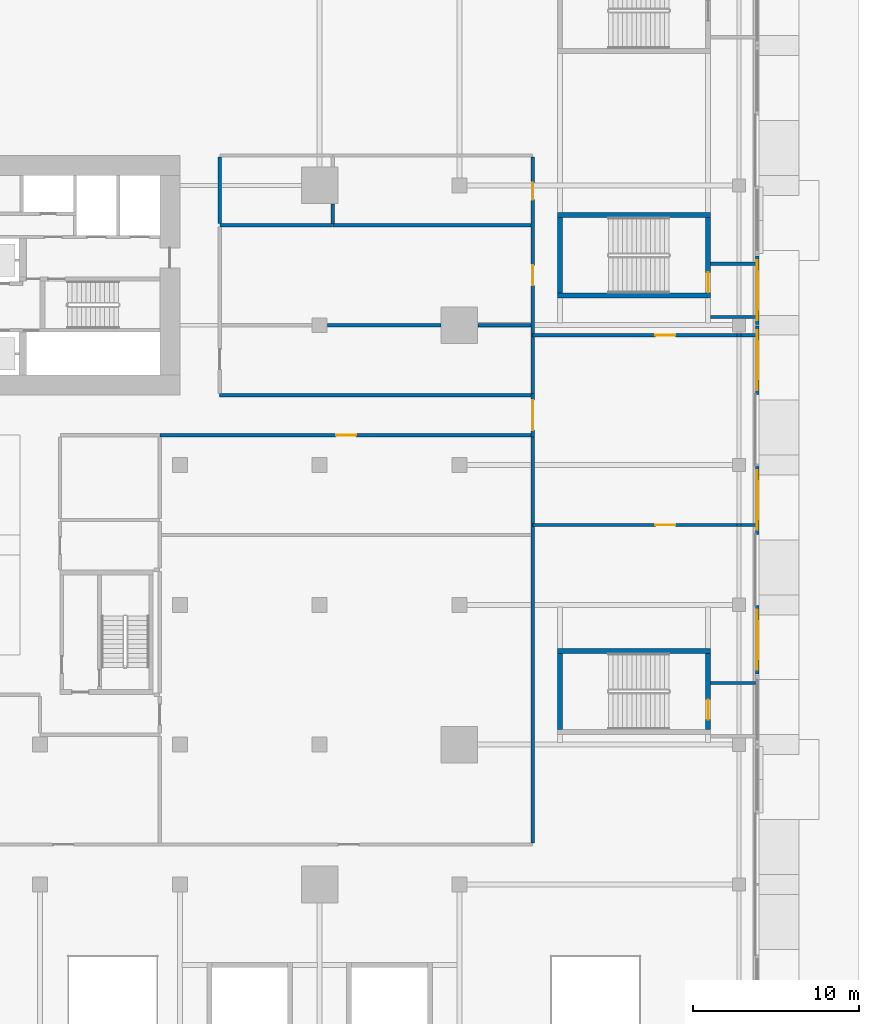
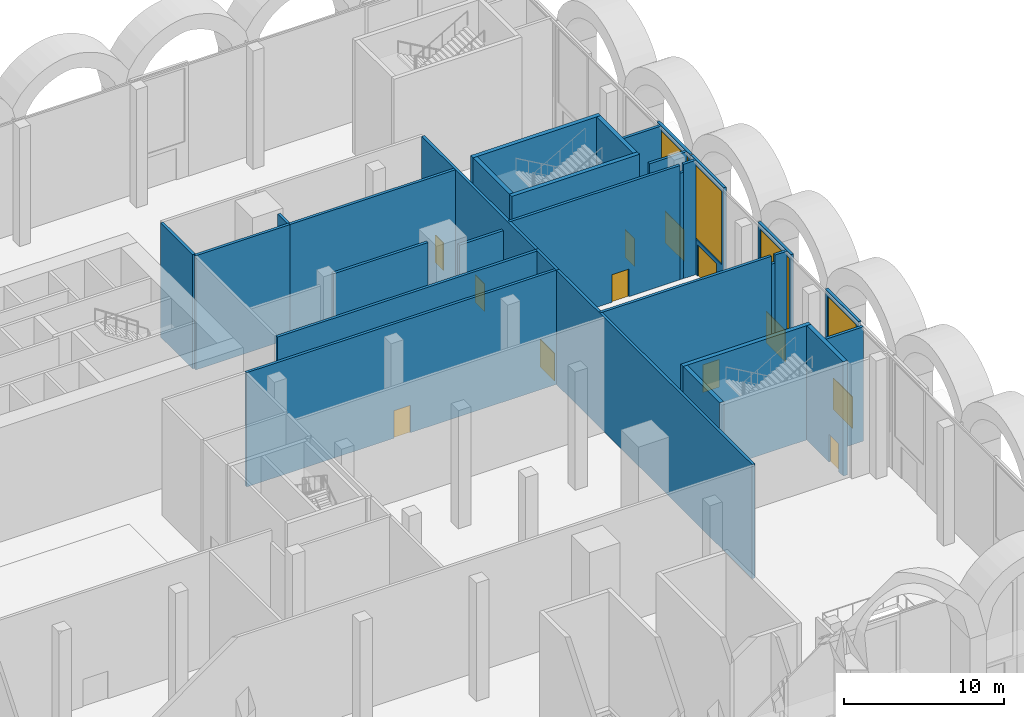
# One storey, part 27 of 43: 31 walls, 12 doors, 4 windows, 16 openings.
"""IFC4 building model written with IfcOpenShell, lengths in metres."""

from ifc_helpers import new_model, si_unit, direction, frame, frame_2d, origin, place, context, subcontext, project, spatial, rectangle, extrude, material, layer, layer_set, type_object, element, fill, save


model = new_model("IFC4")

# Units and contexts
model_context = context("Model", 3, precision=1e-05, world=origin(), true_north=direction((0.0, 1.0)))
body_context = subcontext(model_context, "Body", "Model", "MODEL_VIEW")
ifc_project = project(units=[si_unit("LENGTHUNIT", "METRE"), si_unit("AREAUNIT", "SQUARE_METRE"), si_unit("VOLUMEUNIT", "CUBIC_METRE"), si_unit("PLANEANGLEUNIT", "RADIAN"), si_unit("MASSUNIT", "GRAM", prefix="KILO")], contexts=[model_context])

# Site, building, storey
site_placement = place(None, origin())
site = spatial("IfcSite", under=ifc_project, at=site_placement, CompositionType="ELEMENT")
building_placement = place(site_placement, origin())
building = spatial("IfcBuilding", under=site, at=building_placement, Name="Saffron Gate Tower", CompositionType="ELEMENT")
storey_placement = place(building_placement, origin())
storey = spatial("IfcBuildingStorey", under=building, at=storey_placement, Name="L00", CompositionType="ELEMENT", Elevation=0.0)

# Walls
ifc_material_1 = material(Name="Gypsum board partition on steel studs", Category="steel")
ifc_layer_1 = layer(ifc_material_1, 0.199951171875)
ifc_layer_set_1 = layer_set([ifc_layer_1], Name="CW10 Core partition 200")
wall_type_1 = type_object("IfcWallType", Name="CW10 Core partition 200", PredefinedType="PARTITIONING", material=ifc_layer_set_1)
for number, where, z_axis, x_axis, name in (
    (1, (140.5, 65.89990234375, 0.0), (0.0, 0.0, 1.0), (1.0, 0.0, 0.0), "Wall CW10-L00-XS-JA"),
    (2, (140.5, 69.10009765625, 0.0), (0.0, 0.0, 1.0), (1.0, 0.0, 0.0), "Wall CW10-L00-XS-JB"),
    (3, (140.5, 43.89990234375, 0.0), (0.0, 0.0, 1.0), (1.0, 0.0, 0.0), "Wall CW10-L00-XS-KB"),
):
    element("IfcWall", number, at=place(storey_placement, frame(where, z_axis=z_axis, x_axis=x_axis)), inside=storey, type_object=wall_type_1, Name=name, PredefinedType="PARTITIONING", context=body_context, shape_type="SweptSolid", body=[
        extrude(rectangle(XDim=2.699951171875, YDim=0.199951171875, at=frame_2d((1.35009765625, 0.0))), origin(), (0.0, 0.0, 1.0), 8.699951171875),
    ])
ifc_material_2 = material(Name="Concrete C70", Category="concrete")
ifc_layer_2 = layer(ifc_material_2, 0.300048828125)
ifc_layer_set_2 = layer_set([ifc_layer_2], Name="CW5 RC core wall 300 C70")
wall_type_2 = type_object("IfcWallType", Name="CW5 RC core wall 300 C70", PredefinedType="SOLIDWALL", material=ifc_layer_set_2)
wall_1_placement = place(storey_placement, frame((131.300048828125, 67.175048828125, 0.0), z_axis=(0.0, 0.0, 1.0), x_axis=(1.0, 0.0, 0.0)))
element("IfcWall", 4, at=wall_1_placement, inside=storey, type_object=wall_type_2, Name="Wall CW5-L00-J-1", PredefinedType="SOLIDWALL", context=body_context, shape_type="SweptSolid", body=[
    extrude(rectangle(XDim=9.199951171875, YDim=0.300048828125, at=frame_2d((4.60009765625, 0.0))), origin(), (0.0, 0.0, 1.0), 8.699951171875),
])
wall_2_placement = place(storey_placement, frame((131.449951171875, 67.324951171875, 0.0), z_axis=(0.0, 0.0, 1.0), x_axis=(0.0, 1.0, 0.0)))
element("IfcWall", 5, at=wall_2_placement, inside=storey, type_object=wall_type_2, Name="Wall CW5-L00-J-2", PredefinedType="SOLIDWALL", context=body_context, shape_type="SweptSolid", body=[
    extrude(rectangle(XDim=4.550048828125, YDim=0.300048828125, at=frame_2d((2.27490234375, 0.0))), origin(), (0.0, 0.0, 1.0), 8.699951171875),
])

# Wall, opening, door
wall_3_placement = place(storey_placement, frame((140.35009765625, 67.324951171875, 0.0), z_axis=(0.0, 0.0, 1.0), x_axis=(0.0, 1.0, 0.0)))
wall_3 = element("IfcWall", 6, at=wall_3_placement, inside=storey, type_object=wall_type_2, Name="Wall CW5-L00-J-3", PredefinedType="SOLIDWALL", context=body_context, shape_type="SweptSolid", body=[
    extrude(rectangle(XDim=4.550048828125, YDim=0.300048828125, at=frame_2d((2.27490234375, 0.0))), origin(), (0.0, 0.0, 1.0), 8.699951171875),
])
opening_1_placement = place(wall_3_placement, frame((0.050048828125, 0.0, 0.0)))
opening_1 = element("IfcOpeningElement", 7, at=opening_1_placement, cuts=wall_3, Name="Opening CR-36", PredefinedType="OPENING", context=body_context, shape_type="SweptSolid", body=[
    extrude(rectangle(XDim=1.199951171875, YDim=2.10009765625, at=frame_2d((0.60009765625, 1.050048828125))), frame((0.0, 0.16015625, 0.0), z_axis=(0.0, -1.0, 0.0), x_axis=(1.0, 0.0, 0.0)), (0.0, 0.0, 1.0), 0.320068359375),
])
ifc_material_3 = material(Name="Steel fire door set", Category="steel")
door_type_1 = type_object("IfcDoorType", Name="CD12 Stair door 1200x2100 EI 120", OperationType="NOTDEFINED", PredefinedType="DOOR", material=ifc_material_3)
door_1_placement = place(opening_1_placement, origin())
door_1 = element("IfcDoor", 8, at=door_1_placement, inside=storey, type_object=door_type_1, Name="DOOR CR-36", OperationType="SINGLE_SWING_RIGHT", OverallHeight=2.10009765625, OverallWidth=1.199951171875, PredefinedType="DOOR", context=body_context, shape_type="SweptSolid", body=[
    extrude(rectangle(XDim=1.199951171875, YDim=2.10009765625, at=frame_2d((0.60009765625, 1.050048828125))), frame((0.0, 0.02490234375, 0.0), z_axis=(0.0, -1.0, 0.0), x_axis=(1.0, 0.0, 0.0)), (0.0, 0.0, 1.0), 0.050048828125),
])
fill(opening_1, door_1)

# Walls
wall_4_placement = place(storey_placement, frame((131.300048828125, 72.02490234375, 0.0), z_axis=(0.0, 0.0, 1.0), x_axis=(1.0, 0.0, 0.0)))
element("IfcWall", 9, at=wall_4_placement, inside=storey, type_object=wall_type_2, Name="Wall CW5-L00-J-4", PredefinedType="SOLIDWALL", context=body_context, shape_type="SweptSolid", body=[
    extrude(rectangle(XDim=9.199951171875, YDim=0.300048828125, at=frame_2d((4.60009765625, 0.0))), origin(), (0.0, 0.0, 1.0), 8.699951171875),
])
wall_5_placement = place(storey_placement, frame((131.449951171875, 41.125, 0.0), z_axis=(0.0, 0.0, 1.0), x_axis=(0.0, 1.0, 0.0)))
element("IfcWall", 10, at=wall_5_placement, inside=storey, type_object=wall_type_2, Name="Wall CW5-L00-K-2", PredefinedType="SOLIDWALL", context=body_context, shape_type="SweptSolid", body=[
    extrude(rectangle(XDim=4.550048828125, YDim=0.300048828125, at=frame_2d((2.27490234375, 0.0))), origin(), (0.0, 0.0, 1.0), 8.699951171875),
])

# Wall, opening, door
wall_6_placement = place(storey_placement, frame((140.35009765625, 41.125, 0.0), z_axis=(0.0, 0.0, 1.0), x_axis=(0.0, 1.0, 0.0)))
wall_6 = element("IfcWall", 11, at=wall_6_placement, inside=storey, type_object=wall_type_2, Name="Wall CW5-L00-K-3", PredefinedType="SOLIDWALL", context=body_context, shape_type="SweptSolid", body=[
    extrude(rectangle(XDim=4.550048828125, YDim=0.300048828125, at=frame_2d((2.27490234375, 0.0))), origin(), (0.0, 0.0, 1.0), 8.699951171875),
])
opening_2_placement = place(wall_6_placement, frame((0.574951171875, 0.0, 0.0)))
opening_2 = element("IfcOpeningElement", 12, at=opening_2_placement, cuts=wall_6, Name="Opening CR-39", PredefinedType="OPENING", context=body_context, shape_type="SweptSolid", body=[
    extrude(rectangle(XDim=1.199951171875, YDim=2.10009765625, at=frame_2d((0.60009765625, 1.050048828125))), frame((0.0, 0.16015625, 0.0), z_axis=(0.0, -1.0, 0.0), x_axis=(1.0, 0.0, 0.0)), (0.0, 0.0, 1.0), 0.320068359375),
])
door_2_placement = place(opening_2_placement, origin())
door_2 = element("IfcDoor", 13, at=door_2_placement, inside=storey, type_object=door_type_1, Name="DOOR CR-39", OperationType="SINGLE_SWING_RIGHT", OverallHeight=2.10009765625, OverallWidth=1.199951171875, PredefinedType="DOOR", context=body_context, shape_type="SweptSolid", body=[
    extrude(rectangle(XDim=1.199951171875, YDim=2.10009765625, at=frame_2d((0.60009765625, 1.050048828125))), frame((0.0, 0.02490234375, 0.0), z_axis=(0.0, -1.0, 0.0), x_axis=(1.0, 0.0, 0.0)), (0.0, 0.0, 1.0), 0.050048828125),
])
fill(opening_2, door_2)

# Wall
wall_7_placement = place(storey_placement, frame((131.300048828125, 45.824951171875, 0.0), z_axis=(0.0, 0.0, 1.0), x_axis=(1.0, 0.0, 0.0)))
element("IfcWall", 14, at=wall_7_placement, inside=storey, type_object=wall_type_2, Name="Wall CW5-L00-K-4", PredefinedType="SOLIDWALL", context=body_context, shape_type="SweptSolid", body=[
    extrude(rectangle(XDim=9.199951171875, YDim=0.300048828125, at=frame_2d((4.60009765625, 0.0))), origin(), (0.0, 0.0, 1.0), 8.699951171875),
])

# Wall, opening, door
ifc_material_4 = material(Name="Clay brick masonry, rendered", Category="masonry")
ifc_layer_3 = layer(ifc_material_4, 0.199951171875)
ifc_layer_set_3 = layer_set([ifc_layer_3], Name="PW3 Corridor wall 200")
wall_type_3 = type_object("IfcWallType", Name="PW3 Corridor wall 200", PredefinedType="PARTITIONING", material=ifc_layer_set_3)
wall_8_placement = place(storey_placement, frame((129.800048828125, 53.39990234375, 0.0), z_axis=(0.0, 0.0, 1.0), x_axis=(1.0, 0.0, 0.0)))
wall_8 = element("IfcWall", 15, at=wall_8_placement, inside=storey, type_object=wall_type_3, Name="Wall PW3-L00-XPES1", PredefinedType="PARTITIONING", context=body_context, shape_type="SweptSolid", body=[
    extrude(rectangle(XDim=12.27001953125, YDim=0.199951171875, at=frame_2d((6.135009765625, 0.0))), origin(), (0.0, 0.0, 1.0), 8.699951171875),
])
opening_3_placement = place(wall_8_placement, frame((7.37548828125, 0.0, 0.0)))
opening_3 = element("IfcOpeningElement", 16, at=opening_3_placement, cuts=wall_8, Name="Opening XP-ES", PredefinedType="OPENING", context=body_context, shape_type="SweptSolid", body=[
    extrude(rectangle(XDim=1.199951171875, YDim=2.10009765625, at=frame_2d((0.60009765625, 1.050048828125))), frame((0.0, 0.10986328125, 0.0), z_axis=(0.0, -1.0, 0.0), x_axis=(1.0, 0.0, 0.0)), (0.0, 0.0, 1.0), 0.219970703125),
])
door_type_2 = type_object("IfcDoorType", Name="CD3 Lobby door 1200x2100 EI 120", OperationType="NOTDEFINED", PredefinedType="DOOR", material=ifc_material_3)
door_3_placement = place(opening_3_placement, origin())
door_3 = element("IfcDoor", 17, at=door_3_placement, inside=storey, type_object=door_type_2, Name="DOOR XP-ES", OperationType="SINGLE_SWING_RIGHT", OverallHeight=2.10009765625, OverallWidth=1.199951171875, PredefinedType="DOOR", context=body_context, shape_type="SweptSolid", body=[
    extrude(rectangle(XDim=1.199951171875, YDim=2.10009765625, at=frame_2d((0.60009765625, 1.050048828125))), frame((0.0, 0.02490234375, 0.0), z_axis=(0.0, -1.0, 0.0), x_axis=(1.0, 0.0, 0.0)), (0.0, 0.0, 1.0), 0.050048828125),
])
fill(opening_3, door_3)

# Walls
wall_9_placement = place(storey_placement, frame((142.070068359375, 53.39990234375, 0.0), z_axis=(0.0, 0.0, 1.0), x_axis=(1.0, 0.0, 0.0)))
element("IfcWall", 18, at=wall_9_placement, inside=storey, type_object=wall_type_3, Name="Wall PW3-L00-XPES2", PredefinedType="PARTITIONING", context=body_context, shape_type="SweptSolid", body=[
    extrude(rectangle(XDim=0.260009765625, YDim=0.199951171875, at=frame_2d((0.1298828125, 0.0))), origin(), (0.0, 0.0, 1.0), 8.10009765625),
])
wall_10_placement = place(storey_placement, frame((142.330078125, 53.39990234375, 0.0), z_axis=(0.0, 0.0, 1.0), x_axis=(1.0, 0.0, 0.0)))
element("IfcWall", 19, at=wall_10_placement, inside=storey, type_object=wall_type_3, Name="Wall PW3-L00-XPES3", PredefinedType="PARTITIONING", context=body_context, shape_type="SweptSolid", body=[
    extrude(rectangle(XDim=0.869873046875, YDim=0.199951171875, at=frame_2d((0.43505859375, 0.0))), origin(), (0.0, 0.0, 1.0), 8.699951171875),
])

# Wall, opening, door
wall_11_placement = place(storey_placement, frame((129.800048828125, 64.800048828125, 0.0), z_axis=(0.0, 0.0, 1.0), x_axis=(1.0, 0.0, 0.0)))
wall_11 = element("IfcWall", 20, at=wall_11_placement, inside=storey, type_object=wall_type_3, Name="Wall PW3-L00-XPEN1", PredefinedType="PARTITIONING", context=body_context, shape_type="SweptSolid", body=[
    extrude(rectangle(XDim=12.27001953125, YDim=0.199951171875, at=frame_2d((6.135009765625, 0.0))), origin(), (0.0, 0.0, 1.0), 8.699951171875),
])
opening_4_placement = place(wall_11_placement, frame((7.37548828125, 0.0, 0.0)))
opening_4 = element("IfcOpeningElement", 21, at=opening_4_placement, cuts=wall_11, Name="Opening XP-EN", PredefinedType="OPENING", context=body_context, shape_type="SweptSolid", body=[
    extrude(rectangle(XDim=1.199951171875, YDim=2.10009765625, at=frame_2d((0.60009765625, 1.050048828125))), frame((0.0, 0.10986328125, 0.0), z_axis=(0.0, -1.0, 0.0), x_axis=(1.0, 0.0, 0.0)), (0.0, 0.0, 1.0), 0.219970703125),
])
door_4_placement = place(opening_4_placement, origin())
door_4 = element("IfcDoor", 22, at=door_4_placement, inside=storey, type_object=door_type_2, Name="DOOR XP-EN", OperationType="SINGLE_SWING_LEFT", OverallHeight=2.10009765625, OverallWidth=1.199951171875, PredefinedType="DOOR", context=body_context, shape_type="SweptSolid", body=[
    extrude(rectangle(XDim=1.199951171875, YDim=2.10009765625, at=frame_2d((0.60009765625, 1.050048828125))), frame((0.0, 0.02490234375, 0.0), z_axis=(0.0, -1.0, 0.0), x_axis=(1.0, 0.0, 0.0)), (0.0, 0.0, 1.0), 0.050048828125),
])
fill(opening_4, door_4)

# Walls
wall_12_placement = place(storey_placement, frame((142.070068359375, 64.800048828125, 0.0), z_axis=(0.0, 0.0, 1.0), x_axis=(1.0, 0.0, 0.0)))
element("IfcWall", 23, at=wall_12_placement, inside=storey, type_object=wall_type_3, Name="Wall PW3-L00-XPEN2", PredefinedType="PARTITIONING", context=body_context, shape_type="SweptSolid", body=[
    extrude(rectangle(XDim=0.260009765625, YDim=0.199951171875, at=frame_2d((0.1298828125, 0.0))), origin(), (0.0, 0.0, 1.0), 8.10009765625),
])
wall_13_placement = place(storey_placement, frame((142.330078125, 64.800048828125, 0.0), z_axis=(0.0, 0.0, 1.0), x_axis=(1.0, 0.0, 0.0)))
element("IfcWall", 24, at=wall_13_placement, inside=storey, type_object=wall_type_3, Name="Wall PW3-L00-XPEN3", PredefinedType="PARTITIONING", context=body_context, shape_type="SweptSolid", body=[
    extrude(rectangle(XDim=0.869873046875, YDim=0.199951171875, at=frame_2d((0.43505859375, 0.0))), origin(), (0.0, 0.0, 1.0), 8.699951171875),
])

# Wall, opening, door
wall_14_placement = place(storey_placement, frame((129.800048828125, 58.800048828125, 0.0), z_axis=(0.0, 0.0, 1.0), x_axis=(-1.0, 0.0, 0.0)))
wall_14 = element("IfcWall", 25, at=wall_14_placement, inside=storey, type_object=wall_type_3, Name="Wall P0-13", PredefinedType="PARTITIONING", context=body_context, shape_type="SweptSolid", body=[
    extrude(rectangle(XDim=22.400146484375, YDim=0.199951171875, at=frame_2d((11.2001953125, 0.0))), origin(), (0.0, 0.0, 1.0), 8.699951171875),
])
opening_5_placement = place(wall_14_placement, frame((10.60009765625, 0.0, 0.0)))
opening_5 = element("IfcOpeningElement", 26, at=opening_5_placement, cuts=wall_14, Name="Opening P0-12", PredefinedType="OPENING", context=body_context, shape_type="SweptSolid", body=[
    extrude(rectangle(XDim=1.199951171875, YDim=2.10009765625, at=frame_2d((0.60009765625, 1.050048828125))), frame((0.0, 0.10986328125, 0.0), z_axis=(0.0, -1.0, 0.0), x_axis=(1.0, 0.0, 0.0)), (0.0, 0.0, 1.0), 0.219970703125),
])
ifc_material_5 = material(Name="Timber door set", Category="wood")
door_type_3 = type_object("IfcDoorType", Name="HD1 Hall door 1200x2100", OperationType="NOTDEFINED", PredefinedType="DOOR", material=ifc_material_5)
door_5_placement = place(opening_5_placement, origin())
door_5 = element("IfcDoor", 27, at=door_5_placement, inside=storey, type_object=door_type_3, Name="Door P0-12", OperationType="SINGLE_SWING_RIGHT", OverallHeight=2.10009765625, OverallWidth=1.199951171875, PredefinedType="DOOR", context=body_context, shape_type="SweptSolid", body=[
    extrude(rectangle(XDim=1.199951171875, YDim=2.10009765625, at=frame_2d((0.60009765625, 1.050048828125))), frame((0.0, 0.02490234375, 0.0), z_axis=(0.0, -1.0, 0.0), x_axis=(1.0, 0.0, 0.0)), (0.0, 0.0, 1.0), 0.050048828125),
])
fill(opening_5, door_5)

# Walls
wall_15_placement = place(storey_placement, frame((111.0, 61.199951171875, 0.0), z_axis=(0.0, 0.0, 1.0), x_axis=(1.0, 0.0, 0.0)))
element("IfcWall", 28, at=wall_15_placement, inside=storey, type_object=wall_type_3, Name="Wall P0-16", PredefinedType="PARTITIONING", context=body_context, shape_type="SweptSolid", body=[
    extrude(rectangle(XDim=18.800048828125, YDim=0.199951171875, at=frame_2d((9.39990234375, 0.0))), origin(), (0.0, 0.0, 1.0), 8.699951171875),
])
wall_16_placement = place(storey_placement, frame((129.800048828125, 58.699951171875, 0.0), z_axis=(0.0, 0.0, 1.0), x_axis=(0.0, -1.0, 0.0)))
element("IfcWall", 29, at=wall_16_placement, inside=storey, type_object=wall_type_3, Name="Wall P0-57", PredefinedType="PARTITIONING", context=body_context, shape_type="SweptSolid", body=[
    extrude(rectangle(XDim=24.39990234375, YDim=0.199951171875, at=frame_2d((12.199951171875, 0.0))), origin(), (0.0, 0.0, 1.0), 8.699951171875),
])

# Wall, openings, doors
wall_17_placement = place(storey_placement, frame((129.800048828125, 61.300048828125, 0.0), z_axis=(0.0, 0.0, 1.0), x_axis=(0.0, 1.0, 0.0)))
wall_17 = element("IfcWall", 30, at=wall_17_placement, inside=storey, type_object=wall_type_3, Name="Wall P0-58", PredefinedType="PARTITIONING", context=body_context, shape_type="SweptSolid", body=[
    extrude(rectangle(XDim=14.199951171875, YDim=0.199951171875, at=frame_2d((7.10009765625, 0.0))), origin(), (0.0, 0.0, 1.0), 8.699951171875),
])
opening_6_placement = place(wall_17_placement, frame((6.5, 0.0, 0.0)))
opening_6 = element("IfcOpeningElement", 31, at=opening_6_placement, cuts=wall_17, Name="Opening P0-6", PredefinedType="OPENING", context=body_context, shape_type="SweptSolid", body=[
    extrude(rectangle(XDim=1.199951171875, YDim=2.10009765625, at=frame_2d((0.60009765625, 1.050048828125))), frame((0.0, 0.10986328125, 0.0), z_axis=(0.0, -1.0, 0.0), x_axis=(1.0, 0.0, 0.0)), (0.0, 0.0, 1.0), 0.219970703125),
])
opening_7_placement = place(wall_17_placement, frame((11.64990234375, 0.0, 0.0)))
opening_7 = element("IfcOpeningElement", 32, at=opening_7_placement, cuts=wall_17, Name="Opening P0-1", PredefinedType="OPENING", context=body_context, shape_type="SweptSolid", body=[
    extrude(rectangle(XDim=1.0, YDim=2.10009765625, at=frame_2d((0.5, 1.050048828125))), frame((0.0, 0.10986328125, 0.0), z_axis=(0.0, -1.0, 0.0), x_axis=(1.0, 0.0, 0.0)), (0.0, 0.0, 1.0), 0.219970703125),
])
door_6_placement = place(opening_6_placement, origin())
door_6 = element("IfcDoor", 33, at=door_6_placement, inside=storey, type_object=door_type_3, Name="Door P0-6", OperationType="SINGLE_SWING_LEFT", OverallHeight=2.10009765625, OverallWidth=1.199951171875, PredefinedType="DOOR", context=body_context, shape_type="SweptSolid", body=[
    extrude(rectangle(XDim=1.199951171875, YDim=2.10009765625, at=frame_2d((0.60009765625, 1.050048828125))), frame((0.0, 0.02490234375, 0.0), z_axis=(0.0, -1.0, 0.0), x_axis=(1.0, 0.0, 0.0)), (0.0, 0.0, 1.0), 0.050048828125),
])
fill(opening_6, door_6)
door_type_4 = type_object("IfcDoorType", Name="RD1 Room door 900x2100", OperationType="NOTDEFINED", PredefinedType="DOOR", material=ifc_material_5)
door_7_placement = place(opening_7_placement, origin())
door_7 = element("IfcDoor", 34, at=door_7_placement, inside=storey, type_object=door_type_4, Name="Door P0-1", OperationType="SINGLE_SWING_RIGHT", OverallHeight=2.10009765625, OverallWidth=1.0, PredefinedType="DOOR", context=body_context, shape_type="SweptSolid", body=[
    extrude(rectangle(XDim=1.0, YDim=2.10009765625, at=frame_2d((0.5, 1.050048828125))), frame((0.0, 0.02490234375, 0.0), z_axis=(0.0, -1.0, 0.0), x_axis=(1.0, 0.0, 0.0)), (0.0, 0.0, 1.0), 0.050048828125),
])
fill(opening_7, door_7)

# Wall, opening, door
wall_18_placement = place(storey_placement, frame((129.800048828125, 58.699951171875, 0.0), z_axis=(0.0, 0.0, 1.0), x_axis=(0.0, 1.0, 0.0)))
wall_18 = element("IfcWall", 35, at=wall_18_placement, inside=storey, type_object=wall_type_3, Name="Wall PW3-L00-XP-EL", PredefinedType="PARTITIONING", context=body_context, shape_type="SweptSolid", body=[
    extrude(rectangle(XDim=2.60009765625, YDim=0.199951171875, at=frame_2d((1.300048828125, 0.0))), origin(), (0.0, 0.0, 1.0), 8.699951171875),
])
opening_8_placement = place(wall_18_placement, frame((0.39990234375, 0.0, 0.0)))
opening_8 = element("IfcOpeningElement", 36, at=opening_8_placement, cuts=wall_18, Name="Opening XP-EL", PredefinedType="OPENING", context=body_context, shape_type="SweptSolid", body=[
    extrude(rectangle(XDim=1.800048828125, YDim=2.10009765625, at=frame_2d((0.89990234375, 1.050048828125))), frame((0.0, 0.10986328125, 0.0), z_axis=(0.0, -1.0, 0.0), x_axis=(1.0, 0.0, 0.0)), (0.0, 0.0, 1.0), 0.219970703125),
])
door_type_5 = type_object("IfcDoorType", Name="CD13 Lobby door 1800x2100 EI 120", OperationType="NOTDEFINED", PredefinedType="DOOR", material=ifc_material_3)
door_8_placement = place(opening_8_placement, origin())
door_8 = element("IfcDoor", 37, at=door_8_placement, inside=storey, type_object=door_type_5, Name="DOOR XP-EL", OperationType="DOUBLE_DOOR_SINGLE_SWING", OverallHeight=2.10009765625, OverallWidth=1.800048828125, PredefinedType="DOOR", context=body_context, shape_type="SweptSolid", body=[
    extrude(rectangle(XDim=1.800048828125, YDim=2.10009765625, at=frame_2d((0.89990234375, 1.050048828125))), frame((0.0, 0.02490234375, 0.0), z_axis=(0.0, -1.0, 0.0), x_axis=(1.0, 0.0, 0.0)), (0.0, 0.0, 1.0), 0.050048828125),
])
fill(opening_8, door_8)

# Walls
ifc_layer_4 = layer(ifc_material_4, 0.199951171875)
ifc_layer_set_4 = layer_set([ifc_layer_4], Name="PW5 Room wall 200")
wall_type_4 = type_object("IfcWallType", Name="PW5 Room wall 200", PredefinedType="PARTITIONING", material=ifc_layer_set_4)
wall_19_placement = place(storey_placement, frame((117.469970703125, 65.39990234375, 0.0), z_axis=(0.0, 0.0, 1.0), x_axis=(1.0, 0.0, 0.0)))
element("IfcWall", 38, at=wall_19_placement, inside=storey, type_object=wall_type_4, Name="Wall P0-21", PredefinedType="PARTITIONING", context=body_context, shape_type="SweptSolid", body=[
    extrude(rectangle(XDim=6.81005859375, YDim=0.199951171875, at=frame_2d((3.405029296875, 0.0))), origin(), (0.0, 0.0, 1.0), 8.699951171875),
])
wall_20_placement = place(storey_placement, frame((126.52001953125, 65.39990234375, 0.0), z_axis=(0.0, 0.0, 1.0), x_axis=(1.0, 0.0, 0.0)))
element("IfcWall", 39, at=wall_20_placement, inside=storey, type_object=wall_type_4, Name="Wall P0-22", PredefinedType="PARTITIONING", context=body_context, shape_type="SweptSolid", body=[
    extrude(rectangle(XDim=3.179931640625, YDim=0.199951171875, at=frame_2d((1.58984375, 0.0))), origin(), (0.0, 0.0, 1.0), 7.7099609375),
])
wall_21_placement = place(storey_placement, frame((111.02001953125, 71.39990234375, 0.0), z_axis=(0.0, 0.0, 1.0), x_axis=(1.0, 0.0, 0.0)))
element("IfcWall", 40, at=wall_21_placement, inside=storey, type_object=wall_type_4, Name="Wall P0-24", PredefinedType="PARTITIONING", context=body_context, shape_type="SweptSolid", body=[
    extrude(rectangle(XDim=6.760009765625, YDim=0.199951171875, at=frame_2d((3.3798828125, 0.0))), origin(), (0.0, 0.0, 1.0), 8.699951171875),
])
wall_22_placement = place(storey_placement, frame((117.800048828125, 71.39990234375, 0.0), z_axis=(0.0, 0.0, 1.0), x_axis=(1.0, 0.0, 0.0)))
element("IfcWall", 41, at=wall_22_placement, inside=storey, type_object=wall_type_4, Name="Wall P0-26", PredefinedType="PARTITIONING", context=body_context, shape_type="SweptSolid", body=[
    extrude(rectangle(XDim=11.89990234375, YDim=0.199951171875, at=frame_2d((5.949951171875, 0.0))), origin(), (0.0, 0.0, 1.0), 8.699951171875),
])
wall_23_placement = place(storey_placement, frame((111.0, 75.5, 0.0), z_axis=(0.0, 0.0, 1.0), x_axis=(0.0, -1.0, 0.0)))
element("IfcWall", 42, at=wall_23_placement, inside=storey, type_object=wall_type_4, Name="Wall P0-54", PredefinedType="PARTITIONING", context=body_context, shape_type="SweptSolid", body=[
    extrude(rectangle(XDim=4.0, YDim=0.199951171875, at=frame_2d((2.0, 0.0))), origin(), (0.0, 0.0, 1.0), 8.699951171875),
])
wall_24_placement = place(storey_placement, frame((117.800048828125, 72.679931640625, 0.0), z_axis=(0.0, 0.0, 1.0), x_axis=(0.0, -1.0, 0.0)))
element("IfcWall", 43, at=wall_24_placement, inside=storey, type_object=wall_type_4, Name="Wall P0-55", PredefinedType="PARTITIONING", context=body_context, shape_type="SweptSolid", body=[
    extrude(rectangle(XDim=1.179931640625, YDim=0.199951171875, at=frame_2d((0.58984375, 0.0))), origin(), (0.0, 0.0, 1.0), 8.699951171875),
])

# Wall, openings, window, door
ifc_material_6 = material(Name="Reinforced concrete C40/50 clad in bronze panels", Category="concrete")
ifc_layer_5 = layer(ifc_material_6, 0.199951171875)
ifc_layer_set_5 = layer_set([ifc_layer_5], Name="WBAY1 entrance bay wall")
wall_type_5 = type_object("IfcWallType", Name="WBAY1 entrance bay wall", PredefinedType="SOLIDWALL", material=ifc_layer_set_5)
wall_25_placement = place(storey_placement, frame((143.300048828125, 56.9599609375, 0.0), z_axis=(0.0, 0.0, 1.0), x_axis=(0.0, -1.0, 0.0)))
wall_25 = element("IfcWall", 44, at=wall_25_placement, inside=storey, type_object=wall_type_5, Name="ENTRANCE BAY wall", PredefinedType="SOLIDWALL", context=body_context, shape_type="SweptSolid", body=[
    extrude(rectangle(XDim=4.119873046875, YDim=0.199951171875, at=frame_2d((2.06005859375, 0.0))), origin(), (0.0, 0.0, 1.0), 8.699951171875),
])
opening_9_placement = place(wall_25_placement, frame((0.860107421875, 0.0, 0.0)))
opening_9 = element("IfcOpeningElement", 45, at=opening_9_placement, cuts=wall_25, Name="Opening E17", PredefinedType="OPENING", context=body_context, shape_type="SweptSolid", body=[
    extrude(rectangle(XDim=2.39990234375, YDim=2.39990234375, at=frame_2d((1.199951171875, 1.199951171875))), frame((0.0, 0.10986328125, 0.0), z_axis=(0.0, -1.0, 0.0), x_axis=(1.0, 0.0, 0.0)), (0.0, 0.0, 1.0), 0.219970703125),
])
opening_10_placement = place(wall_25_placement, frame((0.260009765625, 0.0, 2.699951171875)))
opening_10 = element("IfcOpeningElement", 46, at=opening_10_placement, cuts=wall_25, Name="Opening W9", PredefinedType="OPENING", context=body_context, shape_type="SweptSolid", body=[
    extrude(rectangle(XDim=3.60009765625, YDim=5.60009765625, at=frame_2d((1.800048828125, 2.800048828125))), frame((0.0, 0.10986328125, 0.0), z_axis=(0.0, -1.0, 0.0), x_axis=(1.0, 0.0, 0.0)), (0.0, 0.0, 1.0), 0.219970703125),
])
ifc_material_7 = material(Name="Clear low-iron laminated glass in bronze frame", Category="glass")
ifc_layer_6 = layer(ifc_material_7, 0.06005859375)
ifc_layer_set_6 = layer_set([ifc_layer_6], Name="W9 entrance light")
window_type = type_object("IfcWindowType", Name="W9 entrance light", PartitioningType="SINGLE_PANEL", PredefinedType="WINDOW", material=ifc_layer_set_6)
window_1_placement = place(opening_10_placement, origin())
window_1 = element("IfcWindow", 47, at=window_1_placement, inside=storey, type_object=window_type, Name="W9 entrance light", OverallHeight=5.60009765625, OverallWidth=3.60009765625, PartitioningType="SINGLE_PANEL", PredefinedType="WINDOW", context=body_context, shape_type="SweptSolid", body=[
    extrude(rectangle(XDim=3.60009765625, YDim=5.60009765625, at=frame_2d((1.800048828125, 2.800048828125))), frame((0.0, 0.030029296875, 0.0), z_axis=(0.0, -1.0, 0.0), x_axis=(1.0, 0.0, 0.0)), (0.0, 0.0, 1.0), 0.06005859375),
])
fill(opening_10, window_1)
ifc_material_8 = material(Name="Bronze-framed toughened glass", Category="glass")
ifc_layer_7 = layer(ifc_material_8, 0.050048828125)
ifc_layer_set_7 = layer_set([ifc_layer_7], Name="X1 exit double door 2400x2400")
door_type_6 = type_object("IfcDoorType", Name="X1 exit double door 2400x2400", OperationType="DOUBLE_DOOR_SINGLE_SWING", PredefinedType="DOOR", material=ifc_layer_set_7)
door_9_placement = place(opening_9_placement, origin())
door_9 = element("IfcDoor", 48, at=door_9_placement, inside=storey, type_object=door_type_6, Name="EXIT E17", OperationType="DOUBLE_DOOR_SINGLE_SWING", OverallHeight=2.39990234375, OverallWidth=2.39990234375, PredefinedType="DOOR", context=body_context, shape_type="SweptSolid", body=[
    extrude(rectangle(XDim=2.39990234375, YDim=2.39990234375, at=frame_2d((1.199951171875, 1.199951171875))), frame((0.0, 0.02490234375, 0.0), z_axis=(0.0, -1.0, 0.0), x_axis=(1.0, 0.0, 0.0)), (0.0, 0.0, 1.0), 0.050048828125),
])
fill(opening_9, door_9)

wall_26_placement = place(storey_placement, frame((143.300048828125, 48.56005859375, 0.0), z_axis=(0.0, 0.0, 1.0), x_axis=(0.0, -1.0, 0.0)))
wall_26 = element("IfcWall", 49, at=wall_26_placement, inside=storey, type_object=wall_type_5, Name="ENTRANCE BAY wall", PredefinedType="SOLIDWALL", context=body_context, shape_type="SweptSolid", body=[
    extrude(rectangle(XDim=4.1201171875, YDim=0.199951171875, at=frame_2d((2.06005859375, 0.0))), origin(), (0.0, 0.0, 1.0), 8.699951171875),
])
opening_11_placement = place(wall_26_placement, frame((0.860107421875, 0.0, 0.0)))
opening_11 = element("IfcOpeningElement", 50, at=opening_11_placement, cuts=wall_26, Name="Opening E22", PredefinedType="OPENING", context=body_context, shape_type="SweptSolid", body=[
    extrude(rectangle(XDim=2.39990234375, YDim=2.39990234375, at=frame_2d((1.199951171875, 1.199951171875))), frame((0.0, 0.10986328125, 0.0), z_axis=(0.0, -1.0, 0.0), x_axis=(1.0, 0.0, 0.0)), (0.0, 0.0, 1.0), 0.219970703125),
])
opening_12_placement = place(wall_26_placement, frame((0.260009765625, 0.0, 2.699951171875)))
opening_12 = element("IfcOpeningElement", 51, at=opening_12_placement, cuts=wall_26, Name="Opening W9", PredefinedType="OPENING", context=body_context, shape_type="SweptSolid", body=[
    extrude(rectangle(XDim=3.60009765625, YDim=5.60009765625, at=frame_2d((1.800048828125, 2.800048828125))), frame((0.0, 0.10986328125, 0.0), z_axis=(0.0, -1.0, 0.0), x_axis=(1.0, 0.0, 0.0)), (0.0, 0.0, 1.0), 0.219970703125),
])
window_2_placement = place(opening_12_placement, origin())
window_2 = element("IfcWindow", 52, at=window_2_placement, inside=storey, type_object=window_type, Name="W9 entrance light", OverallHeight=5.60009765625, OverallWidth=3.60009765625, PartitioningType="SINGLE_PANEL", PredefinedType="WINDOW", context=body_context, shape_type="SweptSolid", body=[
    extrude(rectangle(XDim=3.60009765625, YDim=5.60009765625, at=frame_2d((1.800048828125, 2.800048828125))), frame((0.0, 0.030029296875, 0.0), z_axis=(0.0, -1.0, 0.0), x_axis=(1.0, 0.0, 0.0)), (0.0, 0.0, 1.0), 0.06005859375),
])
fill(opening_12, window_2)
door_10_placement = place(opening_11_placement, origin())
door_10 = element("IfcDoor", 53, at=door_10_placement, inside=storey, type_object=door_type_6, Name="EXIT E22", OperationType="DOUBLE_DOOR_SINGLE_SWING", OverallHeight=2.39990234375, OverallWidth=2.39990234375, PredefinedType="DOOR", context=body_context, shape_type="SweptSolid", body=[
    extrude(rectangle(XDim=2.39990234375, YDim=2.39990234375, at=frame_2d((1.199951171875, 1.199951171875))), frame((0.0, 0.02490234375, 0.0), z_axis=(0.0, -1.0, 0.0), x_axis=(1.0, 0.0, 0.0)), (0.0, 0.0, 1.0), 0.050048828125),
])
fill(opening_11, door_10)

wall_27_placement = place(storey_placement, frame((143.300048828125, 65.360107421875, 0.0), z_axis=(0.0, 0.0, 1.0), x_axis=(0.0, -1.0, 0.0)))
wall_27 = element("IfcWall", 54, at=wall_27_placement, inside=storey, type_object=wall_type_5, Name="ENTRANCE BAY wall", PredefinedType="SOLIDWALL", context=body_context, shape_type="SweptSolid", body=[
    extrude(rectangle(XDim=4.1201171875, YDim=0.199951171875, at=frame_2d((2.06005859375, 0.0))), origin(), (0.0, 0.0, 1.0), 8.699951171875),
])
opening_13_placement = place(wall_27_placement, frame((0.860107421875, 0.0, 0.0)))
opening_13 = element("IfcOpeningElement", 55, at=opening_13_placement, cuts=wall_27, Name="Opening E23", PredefinedType="OPENING", context=body_context, shape_type="SweptSolid", body=[
    extrude(rectangle(XDim=2.39990234375, YDim=2.39990234375, at=frame_2d((1.199951171875, 1.199951171875))), frame((0.0, 0.10986328125, 0.0), z_axis=(0.0, -1.0, 0.0), x_axis=(1.0, 0.0, 0.0)), (0.0, 0.0, 1.0), 0.219970703125),
])
opening_14_placement = place(wall_27_placement, frame((0.260009765625, 0.0, 2.699951171875)))
opening_14 = element("IfcOpeningElement", 56, at=opening_14_placement, cuts=wall_27, Name="Opening W9", PredefinedType="OPENING", context=body_context, shape_type="SweptSolid", body=[
    extrude(rectangle(XDim=3.60009765625, YDim=5.60009765625, at=frame_2d((1.800048828125, 2.800048828125))), frame((0.0, 0.10986328125, 0.0), z_axis=(0.0, -1.0, 0.0), x_axis=(1.0, 0.0, 0.0)), (0.0, 0.0, 1.0), 0.219970703125),
])
window_3_placement = place(opening_14_placement, origin())
window_3 = element("IfcWindow", 57, at=window_3_placement, inside=storey, type_object=window_type, Name="W9 entrance light", OverallHeight=5.60009765625, OverallWidth=3.60009765625, PartitioningType="SINGLE_PANEL", PredefinedType="WINDOW", context=body_context, shape_type="SweptSolid", body=[
    extrude(rectangle(XDim=3.60009765625, YDim=5.60009765625, at=frame_2d((1.800048828125, 2.800048828125))), frame((0.0, 0.030029296875, 0.0), z_axis=(0.0, -1.0, 0.0), x_axis=(1.0, 0.0, 0.0)), (0.0, 0.0, 1.0), 0.06005859375),
])
fill(opening_14, window_3)
door_11_placement = place(opening_13_placement, origin())
door_11 = element("IfcDoor", 58, at=door_11_placement, inside=storey, type_object=door_type_6, Name="EXIT E23", OperationType="DOUBLE_DOOR_SINGLE_SWING", OverallHeight=2.39990234375, OverallWidth=2.39990234375, PredefinedType="DOOR", context=body_context, shape_type="SweptSolid", body=[
    extrude(rectangle(XDim=2.39990234375, YDim=2.39990234375, at=frame_2d((1.199951171875, 1.199951171875))), frame((0.0, 0.02490234375, 0.0), z_axis=(0.0, -1.0, 0.0), x_axis=(1.0, 0.0, 0.0)), (0.0, 0.0, 1.0), 0.050048828125),
])
fill(opening_13, door_11)

wall_28_placement = place(storey_placement, frame((143.300048828125, 69.56005859375, 0.0), z_axis=(0.0, 0.0, 1.0), x_axis=(0.0, -1.0, 0.0)))
wall_28 = element("IfcWall", 59, at=wall_28_placement, inside=storey, type_object=wall_type_5, Name="ENTRANCE BAY wall", PredefinedType="SOLIDWALL", context=body_context, shape_type="SweptSolid", body=[
    extrude(rectangle(XDim=4.1201171875, YDim=0.199951171875, at=frame_2d((2.06005859375, 0.0))), origin(), (0.0, 0.0, 1.0), 8.699951171875),
])
opening_15_placement = place(wall_28_placement, frame((0.860107421875, 0.0, 0.0)))
opening_15 = element("IfcOpeningElement", 60, at=opening_15_placement, cuts=wall_28, Name="Opening E33", PredefinedType="OPENING", context=body_context, shape_type="SweptSolid", body=[
    extrude(rectangle(XDim=2.39990234375, YDim=2.39990234375, at=frame_2d((1.199951171875, 1.199951171875))), frame((0.0, 0.10986328125, 0.0), z_axis=(0.0, -1.0, 0.0), x_axis=(1.0, 0.0, 0.0)), (0.0, 0.0, 1.0), 0.219970703125),
])
opening_16_placement = place(wall_28_placement, frame((0.260009765625, 0.0, 2.699951171875)))
opening_16 = element("IfcOpeningElement", 61, at=opening_16_placement, cuts=wall_28, Name="Opening W9", PredefinedType="OPENING", context=body_context, shape_type="SweptSolid", body=[
    extrude(rectangle(XDim=3.60009765625, YDim=5.60009765625, at=frame_2d((1.800048828125, 2.800048828125))), frame((0.0, 0.10986328125, 0.0), z_axis=(0.0, -1.0, 0.0), x_axis=(1.0, 0.0, 0.0)), (0.0, 0.0, 1.0), 0.219970703125),
])
window_4_placement = place(opening_16_placement, origin())
window_4 = element("IfcWindow", 62, at=window_4_placement, inside=storey, type_object=window_type, Name="W9 entrance light", OverallHeight=5.60009765625, OverallWidth=3.60009765625, PartitioningType="SINGLE_PANEL", PredefinedType="WINDOW", context=body_context, shape_type="SweptSolid", body=[
    extrude(rectangle(XDim=3.60009765625, YDim=5.60009765625, at=frame_2d((1.800048828125, 2.800048828125))), frame((0.0, 0.030029296875, 0.0), z_axis=(0.0, -1.0, 0.0), x_axis=(1.0, 0.0, 0.0)), (0.0, 0.0, 1.0), 0.06005859375),
])
fill(opening_16, window_4)
door_12_placement = place(opening_15_placement, origin())
door_12 = element("IfcDoor", 63, at=door_12_placement, inside=storey, type_object=door_type_6, Name="EXIT E33", OperationType="DOUBLE_DOOR_SINGLE_SWING", OverallHeight=2.39990234375, OverallWidth=2.39990234375, PredefinedType="DOOR", context=body_context, shape_type="SweptSolid", body=[
    extrude(rectangle(XDim=2.39990234375, YDim=2.39990234375, at=frame_2d((1.199951171875, 1.199951171875))), frame((0.0, 0.02490234375, 0.0), z_axis=(0.0, -1.0, 0.0), x_axis=(1.0, 0.0, 0.0)), (0.0, 0.0, 1.0), 0.050048828125),
])
fill(opening_15, door_12)

save(model, "model.ifc")
